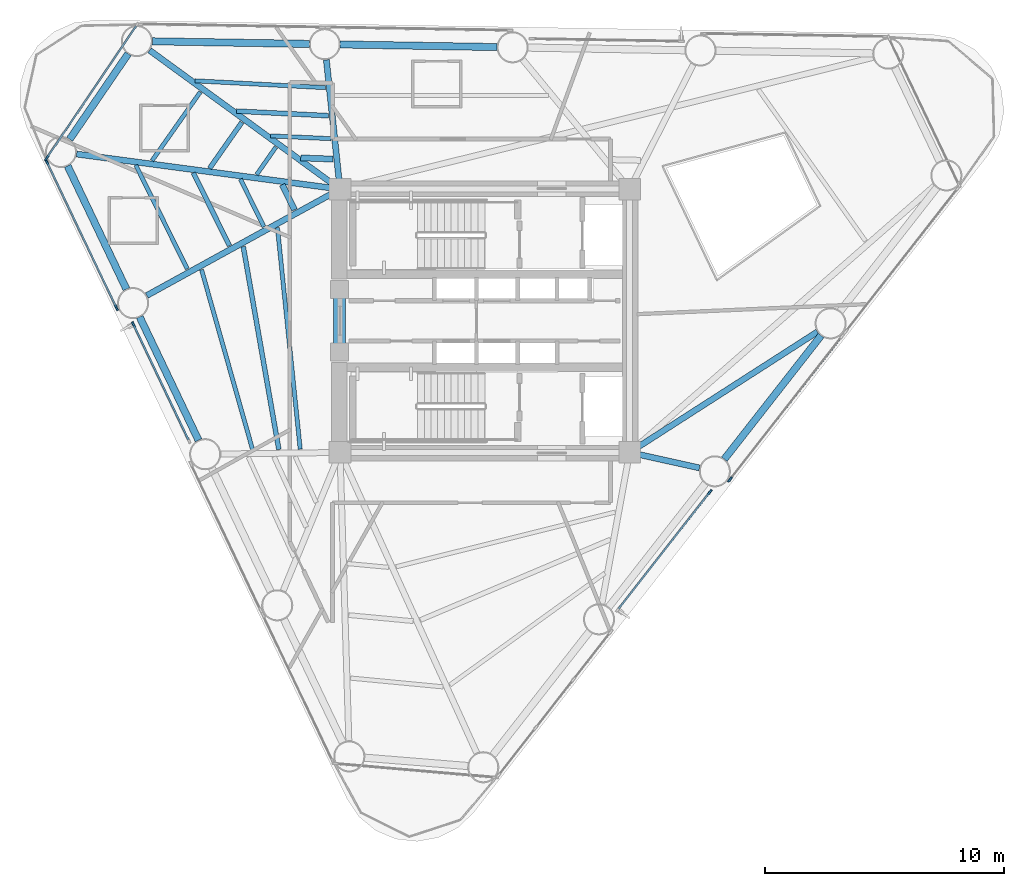
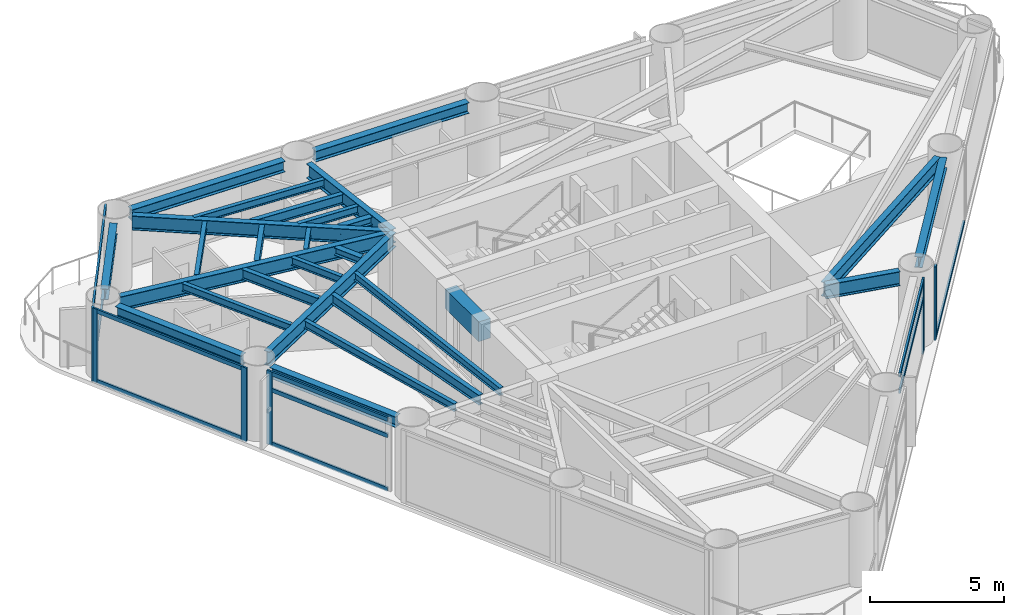
# One storey, part 3 of 10: 27 beams, 16 members, 5 elements without a shape of their own.
"""IFC4 building model written with IfcOpenShell, lengths in metres."""

from ifc_helpers import new_model, si_unit, direction, frame, origin, origin_2d, place, context, subcontext, project, spatial, rectangle, i_section, extrude, source, transform, mapped, material, layer, layer_set, material_profile, profile_set, type_object, element, aggregate, save


model = new_model("IFC4")

# Units and contexts
model_context = context("Model", 3, precision=1e-05, world=origin(), true_north=direction((0.0, 1.0)))
body_context = subcontext(model_context, "Body", "Model", "MODEL_VIEW")
ifc_project = project(units=[si_unit("LENGTHUNIT", "METRE"), si_unit("AREAUNIT", "SQUARE_METRE"), si_unit("VOLUMEUNIT", "CUBIC_METRE"), si_unit("PLANEANGLEUNIT", "RADIAN"), si_unit("MASSUNIT", "GRAM", prefix="KILO")], contexts=[model_context])

# Site, building, storey
site_placement = place(None, origin())
site = spatial("IfcSite", under=ifc_project, at=site_placement, CompositionType="ELEMENT")
building_placement = place(site_placement, origin())
building = spatial("IfcBuilding", under=site, at=building_placement, Name="Yunling Apex Tower", CompositionType="ELEMENT")
storey_placement = place(building_placement, frame((0.0, 0.0, 143.300048828125)))
storey = spatial("IfcBuildingStorey", under=building, at=storey_placement, Name="L35", CompositionType="ELEMENT", Elevation=143.300048828125)

# Beams
ifc_material_1 = material(Name="Concrete C50", Category="concrete")
ifc_material_profile_1 = material_profile(ifc_material_1, rectangle(XDim=0.5, YDim=0.89990234375, at=origin_2d()))
ifc_profile_set_1 = profile_set([ifc_material_profile_1], Name="Concrete C50")
beam_type_1 = type_object("IfcBeamType", Name="BC-CPL-2", PredefinedType="BEAM", material=ifc_profile_set_1)
shared_shape_1 = source(origin(), body_context, "Body", "SweptSolid", [
    extrude(rectangle(XDim=0.5, YDim=0.89990234375, at=origin_2d()), origin(), (0.0, 0.0, 1.0), 2.5),
])
beam_1_placement = place(storey_placement, frame((-6.074951171875, -1.25, 2.820068359375), z_axis=(0.0, 1.0, 0.0), x_axis=(-1.0, 0.0, 0.0)))
element("IfcBeam", 1, at=beam_1_placement, inside=storey, type_object=beam_type_1, Name="L35 Core West Portal Coupling Beam", PredefinedType="BEAM", context=body_context, shape_type="MappedRepresentation", body=[
    mapped(shared_shape_1, transform((0.0, 0.0, 0.0), scale=1.0)),
])
ifc_material_2 = material(Name="Steel Q355B", Category="steel")
ifc_material_profile_2 = material_profile(ifc_material_2, i_section(OverallWidth=0.300048828125, OverallDepth=0.489990234375, WebThickness=0.010986328125, FlangeThickness=0.01806640625, FilletRadius=0.02197265625, at=origin_2d()))
ifc_profile_set_2 = profile_set([ifc_material_profile_2], Name="Steel Q355B")
beam_type_2 = type_object("IfcBeamType", Name="BP-SPN-2", PredefinedType="SPANDREL", material=ifc_profile_set_2)
shared_shape_2 = source(origin(), body_context, "Body", "SweptSolid", [
    extrude(i_section(OverallWidth=0.300048828125, OverallDepth=0.489990234375, WebThickness=0.010986328125, FlangeThickness=0.01806640625, FilletRadius=0.02197265625, at=origin_2d()), origin(), (0.0, 0.0, 1.0), 6.562255859375),
])
beam_2_placement = place(storey_placement, frame((0.5166015625, 11.4375, 3.02490234375), z_axis=(-0.999859222118, 0.0167790329, 0.0), x_axis=(-0.0167790329, -0.999859222118, 0.0)))
element("IfcBeam", 2, at=beam_2_placement, inside=storey, type_object=beam_type_2, Name="L35 Perimeter Spandrel Beam 8", PredefinedType="SPANDREL", context=body_context, shape_type="MappedRepresentation", body=[
    mapped(shared_shape_2, transform((0.0, 0.0, 0.0), scale=1.0)),
])
shared_shape_3 = source(origin(), body_context, "Body", "SweptSolid", [
    extrude(i_section(OverallWidth=0.300048828125, OverallDepth=0.489990234375, WebThickness=0.010986328125, FlangeThickness=0.01806640625, FilletRadius=0.02197265625, at=origin_2d()), origin(), (0.0, 0.0, 1.0), 6.56201171875),
])
for number, where, z_axis, x_axis, name in (
    (3, (10.00732421875, -5.781982421875, 3.02490234375), (0.616233019323, 0.787563880518, 0.0), (-0.787563880518, 0.616233019323, 0.0), "L35 Perimeter Spandrel Beam 3"),
    (4, (-7.33251953125, 11.569091796875, 3.02490234375), (-0.999859211643, 0.016779657083, 0.0), (-0.016779657083, -0.999859211643, 0.0), "L35 Perimeter Spandrel Beam 9"),
):
    element("IfcBeam", number, at=place(storey_placement, frame(where, z_axis=z_axis, x_axis=x_axis)), inside=storey, type_object=beam_type_2, Name=name, PredefinedType="SPANDREL", context=body_context, shape_type="MappedRepresentation", body=[
        mapped(shared_shape_3, transform((0.0, 0.0, 0.0), scale=1.0)),
    ])
shared_shape_4 = source(origin(), body_context, "Body", "SweptSolid", [
    extrude(i_section(OverallWidth=0.300048828125, OverallDepth=0.489990234375, WebThickness=0.010986328125, FlangeThickness=0.01806640625, FilletRadius=0.02197265625, at=origin_2d()), origin(), (0.0, 0.0, 1.0), 4.328125),
])
beam_3_placement = place(storey_placement, frame((-14.901123046875, 11.158447265625, 3.02490234375), z_axis=(-0.564631339119, -0.825343232167, 0.0), x_axis=(0.825343232167, -0.564631339119, 0.0)))
element("IfcBeam", 5, at=beam_3_placement, inside=storey, type_object=beam_type_2, Name="L35 Perimeter Spandrel Beam 10", PredefinedType="SPANDREL", context=body_context, shape_type="MappedRepresentation", body=[
    mapped(shared_shape_4, transform((0.0, 0.0, 0.0), scale=1.0)),
])
shared_shape_5 = source(origin(), body_context, "Body", "SweptSolid", [
    extrude(i_section(OverallWidth=0.300048828125, OverallDepth=0.489990234375, WebThickness=0.010986328125, FlangeThickness=0.01806640625, FilletRadius=0.02197265625, at=origin_2d()), origin(), (0.0, 0.0, 1.0), 5.70751953125),
])
for number, where, z_axis, x_axis, name in (
    (6, (-17.431396484375, 6.473388671875, 3.02490234375), (0.430539541488, -0.902571716383, 0.0), (0.902571716383, 0.430539541488, 0.0), "L35 Perimeter Spandrel Beam 11"),
    (7, (-14.419677734375, 0.1591796875, 3.02490234375), (0.430539541488, -0.902571716383, 0.0), (0.902571716383, 0.430539541488, 0.0), "L35 Perimeter Spandrel Beam 12"),
):
    element("IfcBeam", number, at=place(storey_placement, frame(where, z_axis=z_axis, x_axis=x_axis)), inside=storey, type_object=beam_type_2, Name=name, PredefinedType="SPANDREL", context=body_context, shape_type="MappedRepresentation", body=[
        mapped(shared_shape_5, transform((0.0, 0.0, 0.0), scale=1.0)),
    ])
ifc_material_profile_3 = material_profile(ifc_material_2, i_section(OverallWidth=0.25, OverallDepth=0.64990234375, WebThickness=0.011962890625, FlangeThickness=0.02001953125, FilletRadius=0.02392578125, at=origin_2d()))
ifc_profile_set_3 = profile_set([ifc_material_profile_3], Name="Steel Q355B")
beam_type_3 = type_object("IfcBeamType", Name="BG-PRI-4", PredefinedType="USERDEFINED", material=ifc_profile_set_3)
shared_shape_6 = source(origin(), body_context, "Body", "SweptSolid", [
    extrude(i_section(OverallWidth=0.25, OverallDepth=0.64990234375, WebThickness=0.011962890625, FlangeThickness=0.02001953125, FilletRadius=0.02392578125, at=origin_2d()), origin(), (0.0, 0.0, 1.0), 2.908935546875),
])
beam_4_placement = place(storey_placement, frame((8.96826171875, -6.14697265625, 2.945068359375), z_axis=(-0.976295546219, 0.216441692917, 0.0), x_axis=(-0.216441692917, -0.976295546219, 0.0)))
element("IfcBeam", 8, at=beam_4_placement, inside=storey, type_object=beam_type_3, Name="L35 Radial Primary Girder R03", ObjectType="GIRDER", PredefinedType="USERDEFINED", context=body_context, shape_type="MappedRepresentation", body=[
    mapped(shared_shape_6, transform((0.0, 0.0, 0.0), scale=1.0)),
])
shared_shape_7 = source(origin(), body_context, "Body", "SweptSolid", [
    extrude(i_section(OverallWidth=0.25, OverallDepth=0.64990234375, WebThickness=0.011962890625, FlangeThickness=0.02001953125, FilletRadius=0.02392578125, at=origin_2d()), origin(), (0.0, 0.0, 1.0), 9.24267578125),
])
beam_5_placement = place(storey_placement, frame((13.894287109375, -0.46240234375, 2.945068359375), z_axis=(-0.841433276896, -0.540361027954, 0.0), x_axis=(0.540361027954, -0.841433276896, 0.0)))
element("IfcBeam", 9, at=beam_5_placement, inside=storey, type_object=beam_type_3, Name="L35 Radial Primary Girder R04", ObjectType="GIRDER", PredefinedType="USERDEFINED", context=body_context, shape_type="MappedRepresentation", body=[
    mapped(shared_shape_7, transform((0.0, 0.0, 0.0), scale=1.0)),
])
shared_shape_8 = source(origin(), body_context, "Body", "SweptSolid", [
    extrude(i_section(OverallWidth=0.25, OverallDepth=0.64990234375, WebThickness=0.011962890625, FlangeThickness=0.02001953125, FilletRadius=0.02392578125, at=origin_2d()), origin(), (0.0, 0.0, 1.0), 5.35400390625),
])
beam_6_placement = place(storey_placement, frame((-6.619384765625, 10.904052734375, 2.945068359375), z_axis=(0.104789227106, -0.99449445342, 0.0), x_axis=(0.99449445342, 0.104789227106, 0.0)))
element("IfcBeam", 10, at=beam_6_placement, inside=storey, type_object=beam_type_3, Name="L35 Radial Primary Girder R09", ObjectType="GIRDER", PredefinedType="USERDEFINED", context=body_context, shape_type="MappedRepresentation", body=[
    mapped(shared_shape_8, transform((0.0, 0.0, 0.0), scale=1.0)),
])
shared_shape_9 = source(origin(), body_context, "Body", "SweptSolid", [
    extrude(i_section(OverallWidth=0.25, OverallDepth=0.64990234375, WebThickness=0.011962890625, FlangeThickness=0.02001953125, FilletRadius=0.02392578125, at=origin_2d()), origin(), (0.0, 0.0, 1.0), 9.76708984375),
])
beam_7_placement = place(storey_placement, frame((-14.005859375, 11.30224609375, 2.945068359375), z_axis=(0.807958193343, -0.589239813497, 0.0), x_axis=(0.589239813497, 0.807958193343, 0.0)))
element("IfcBeam", 11, at=beam_7_placement, inside=storey, type_object=beam_type_3, Name="L35 Radial Primary Girder R10", ObjectType="GIRDER", PredefinedType="USERDEFINED", context=body_context, shape_type="MappedRepresentation", body=[
    mapped(shared_shape_9, transform((0.0, 0.0, 0.0), scale=1.0)),
])
shared_shape_10 = source(origin(), body_context, "Body", "SweptSolid", [
    extrude(i_section(OverallWidth=0.25, OverallDepth=0.64990234375, WebThickness=0.011962890625, FlangeThickness=0.02001953125, FilletRadius=0.02392578125, at=origin_2d()), origin(), (0.0, 0.0, 1.0), 11.023681640625),
])
beam_8_placement = place(storey_placement, frame((-17.056396484375, 6.9677734375, 2.945068359375), z_axis=(0.991223838358, -0.132194183952, 0.0), x_axis=(0.132194183952, 0.991223838358, 0.0)))
element("IfcBeam", 12, at=beam_8_placement, inside=storey, type_object=beam_type_3, Name="L35 Radial Primary Girder R11", ObjectType="GIRDER", PredefinedType="USERDEFINED", context=body_context, shape_type="MappedRepresentation", body=[
    mapped(shared_shape_10, transform((0.0, 0.0, 0.0), scale=1.0)),
])
shared_shape_11 = source(origin(), body_context, "Body", "SweptSolid", [
    extrude(i_section(OverallWidth=0.25, OverallDepth=0.64990234375, WebThickness=0.011962890625, FlangeThickness=0.02001953125, FilletRadius=0.02392578125, at=origin_2d()), origin(), (0.0, 0.0, 1.0), 9.132080078125),
])
beam_9_placement = place(storey_placement, frame((-14.120361328125, 1.057861328125, 2.945068359375), z_axis=(0.876057251214, 0.482207105501, 0.0), x_axis=(-0.482207105501, 0.876057251214, 0.0)))
element("IfcBeam", 13, at=beam_9_placement, inside=storey, type_object=beam_type_3, Name="L35 Radial Primary Girder R12", ObjectType="GIRDER", PredefinedType="USERDEFINED", context=body_context, shape_type="MappedRepresentation", body=[
    mapped(shared_shape_11, transform((0.0, 0.0, 0.0), scale=1.0)),
])
ifc_material_profile_4 = material_profile(ifc_material_2, i_section(OverallWidth=0.199951171875, OverallDepth=0.449951171875, WebThickness=0.009033203125, FlangeThickness=0.013916015625, FilletRadius=0.01806640625, at=origin_2d()))
ifc_profile_set_4 = profile_set([ifc_material_profile_4], Name="Steel Q355B")
beam_type_4 = type_object("IfcBeamType", Name="BS-SEC-3", PredefinedType="BEAM", material=ifc_profile_set_4)
shared_shape_12 = source(origin(), body_context, "Body", "SweptSolid", [
    extrude(i_section(OverallWidth=0.199951171875, OverallDepth=0.449951171875, WebThickness=0.009033203125, FlangeThickness=0.013916015625, FilletRadius=0.01806640625, at=origin_2d()), origin(), (0.0, 0.0, 1.0), 3.84619140625),
])
beam_10_placement = place(storey_placement, frame((-6.532470703125, 8.5693359375, 3.044921875), z_axis=(-0.998745046624, 0.050083249128, 0.0), x_axis=(-0.050083249128, -0.998745046624, 0.0)))
element("IfcBeam", 14, at=beam_10_placement, inside=storey, type_object=beam_type_4, Name="L35 Composite Floor Beam BS-9", PredefinedType="BEAM", context=body_context, shape_type="MappedRepresentation", body=[
    mapped(shared_shape_12, transform((0.0, 0.0, 0.0), scale=1.0)),
])
ifc_material_profile_5 = material_profile(ifc_material_2, i_section(OverallWidth=0.175048828125, OverallDepth=0.35009765625, WebThickness=0.007080078125, FlangeThickness=0.010986328125, FilletRadius=0.013916015625, at=origin_2d()))
ifc_profile_set_5 = profile_set([ifc_material_profile_5], Name="Steel Q355B")
beam_type_5 = type_object("IfcBeamType", Name="BJ-JST-1", PredefinedType="JOIST", material=ifc_profile_set_5)
shared_shape_13 = source(origin(), body_context, "Body", "SweptSolid", [
    extrude(i_section(OverallWidth=0.175048828125, OverallDepth=0.35009765625, WebThickness=0.007080078125, FlangeThickness=0.010986328125, FilletRadius=0.013916015625, at=origin_2d()), origin(), (0.0, 0.0, 1.0), 5.4619140625),
])
beam_11_placement = place(storey_placement, frame((-6.65576171875, 9.740966796875, 3.094970703125), z_axis=(-0.998619804272, 0.052521295825, 0.0), x_axis=(-0.052521295825, -0.998619804272, 0.0)))
element("IfcBeam", 15, at=beam_11_placement, inside=storey, type_object=beam_type_5, Name="L35 Composite Floor Joist BJ1-9", PredefinedType="JOIST", context=body_context, shape_type="MappedRepresentation", body=[
    mapped(shared_shape_13, transform((0.0, 0.0, 0.0), scale=1.0)),
])
shared_shape_14 = source(origin(), body_context, "Body", "SweptSolid", [
    extrude(i_section(OverallWidth=0.175048828125, OverallDepth=0.35009765625, WebThickness=0.007080078125, FlangeThickness=0.010986328125, FilletRadius=0.013916015625, at=origin_2d()), origin(), (0.0, 0.0, 1.0), 2.52490234375),
])
beam_12_placement = place(storey_placement, frame((-6.431396484375, 7.6103515625, 3.094970703125), z_axis=(-0.998935787548, 0.046122579679, 0.0), x_axis=(-0.046122579679, -0.998935787548, 0.0)))
element("IfcBeam", 16, at=beam_12_placement, inside=storey, type_object=beam_type_5, Name="L35 Composite Floor Joist BJ3-9", PredefinedType="JOIST", context=body_context, shape_type="MappedRepresentation", body=[
    mapped(shared_shape_14, transform((0.0, 0.0, 0.0), scale=1.0)),
])
ifc_material_profile_6 = material_profile(ifc_material_2, i_section(OverallWidth=0.25, OverallDepth=0.340087890625, WebThickness=0.009033203125, FlangeThickness=0.013916015625, FilletRadius=0.01806640625, at=origin_2d()))
ifc_profile_set_6 = profile_set([ifc_material_profile_6], Name="Steel Q355B")
beam_type_6 = type_object("IfcBeamType", Name="BJ-JST-2", PredefinedType="JOIST", material=ifc_profile_set_6)
shared_shape_15 = source(origin(), body_context, "Body", "SweptSolid", [
    extrude(i_section(OverallWidth=0.25, OverallDepth=0.340087890625, WebThickness=0.009033203125, FlangeThickness=0.013916015625, FilletRadius=0.01806640625, at=origin_2d()), origin(), (0.0, 0.0, 1.0), 1.35009765625),
])
beam_13_placement = place(storey_placement, frame((-6.341796875, 6.7568359375, 3.099853515625), z_axis=(-0.999299138543, 0.03743302962, 0.0), x_axis=(-0.03743302962, -0.999299138543, 0.0)))
element("IfcBeam", 17, at=beam_13_placement, inside=storey, type_object=beam_type_6, Name="L35 Composite Floor Joist BJ2-9", PredefinedType="JOIST", context=body_context, shape_type="MappedRepresentation", body=[
    mapped(shared_shape_15, transform((0.0, 0.0, 0.0), scale=1.0)),
])
shared_shape_16 = source(origin(), body_context, "Body", "SweptSolid", [
    extrude(i_section(OverallWidth=0.199951171875, OverallDepth=0.449951171875, WebThickness=0.009033203125, FlangeThickness=0.013916015625, FilletRadius=0.01806640625, at=origin_2d()), origin(), (0.0, 0.0, 1.0), 2.349365234375),
])
beam_14_placement = place(storey_placement, frame((-10.152099609375, 8.293701171875, 3.044921875), z_axis=(-0.574138652216, -0.818758088834, 0.0), x_axis=(0.818758088834, -0.574138652216, 0.0)))
element("IfcBeam", 18, at=beam_14_placement, inside=storey, type_object=beam_type_4, Name="L35 Composite Floor Beam BS-10", PredefinedType="BEAM", context=body_context, shape_type="MappedRepresentation", body=[
    mapped(shared_shape_16, transform((0.0, 0.0, 0.0), scale=1.0)),
])
shared_shape_17 = source(origin(), body_context, "Body", "SweptSolid", [
    extrude(i_section(OverallWidth=0.175048828125, OverallDepth=0.35009765625, WebThickness=0.007080078125, FlangeThickness=0.010986328125, FilletRadius=0.013916015625, at=origin_2d()), origin(), (0.0, 0.0, 1.0), 3.5068359375),
])
beam_15_placement = place(storey_placement, frame((-11.88818359375, 9.559814453125, 3.094970703125), z_axis=(-0.575031163817, -0.818131505712, 0.0), x_axis=(0.818131505712, -0.575031163817, 0.0)))
element("IfcBeam", 19, at=beam_15_placement, inside=storey, type_object=beam_type_5, Name="L35 Composite Floor Joist BJ1-10", PredefinedType="JOIST", context=body_context, shape_type="MappedRepresentation", body=[
    mapped(shared_shape_17, transform((0.0, 0.0, 0.0), scale=1.0)),
])
shared_shape_18 = source(origin(), body_context, "Body", "SweptSolid", [
    extrude(i_section(OverallWidth=0.175048828125, OverallDepth=0.35009765625, WebThickness=0.007080078125, FlangeThickness=0.010986328125, FilletRadius=0.013916015625, at=origin_2d()), origin(), (0.0, 0.0, 1.0), 1.40185546875),
])
beam_16_placement = place(storey_placement, frame((-8.7314453125, 7.257568359375, 3.094970703125), z_axis=(-0.572573774169, -0.819853202186, 0.0), x_axis=(0.819853202186, -0.572573774169, 0.0)))
element("IfcBeam", 20, at=beam_16_placement, inside=storey, type_object=beam_type_5, Name="L35 Composite Floor Joist BJ3-10", PredefinedType="JOIST", context=body_context, shape_type="MappedRepresentation", body=[
    mapped(shared_shape_18, transform((0.0, 0.0, 0.0), scale=1.0)),
])
shared_shape_19 = source(origin(), body_context, "Body", "SweptSolid", [
    extrude(i_section(OverallWidth=0.199951171875, OverallDepth=0.449951171875, WebThickness=0.009033203125, FlangeThickness=0.013916015625, FilletRadius=0.01806640625, at=origin_2d()), origin(), (0.0, 0.0, 1.0), 3.396484375),
])
beam_17_placement = place(storey_placement, frame((-12.177490234375, 6.18310546875, 3.044921875), z_axis=(0.443500732864, -0.896274009413, 0.0), x_axis=(0.896274009413, 0.443500732864, 0.0)))
element("IfcBeam", 21, at=beam_17_placement, inside=storey, type_object=beam_type_4, Name="L35 Composite Floor Beam BS-11", PredefinedType="BEAM", context=body_context, shape_type="MappedRepresentation", body=[
    mapped(shared_shape_19, transform((0.0, 0.0, 0.0), scale=1.0)),
])
shared_shape_20 = source(origin(), body_context, "Body", "SweptSolid", [
    extrude(i_section(OverallWidth=0.175048828125, OverallDepth=0.35009765625, WebThickness=0.007080078125, FlangeThickness=0.010986328125, FilletRadius=0.013916015625, at=origin_2d()), origin(), (0.0, 0.0, 1.0), 4.837890625),
])
beam_18_placement = place(storey_placement, frame((-14.581298828125, 6.50390625, 3.094970703125), z_axis=(0.444385383115, -0.895835716677, 0.0), x_axis=(0.895835716677, 0.444385383115, 0.0)))
element("IfcBeam", 22, at=beam_18_placement, inside=storey, type_object=beam_type_5, Name="L35 Composite Floor Joist BJ1-11", PredefinedType="JOIST", context=body_context, shape_type="MappedRepresentation", body=[
    mapped(shared_shape_20, transform((0.0, 0.0, 0.0), scale=1.0)),
])
shared_shape_21 = source(origin(), body_context, "Body", "SweptSolid", [
    extrude(i_section(OverallWidth=0.175048828125, OverallDepth=0.35009765625, WebThickness=0.007080078125, FlangeThickness=0.010986328125, FilletRadius=0.013916015625, at=origin_2d()), origin(), (0.0, 0.0, 1.0), 2.217529296875),
])
beam_19_placement = place(storey_placement, frame((-10.2109375, 5.9208984375, 3.094970703125), z_axis=(0.441921230905, -0.897053858848, 0.0), x_axis=(0.897053858848, 0.441921230905, 0.0)))
element("IfcBeam", 23, at=beam_19_placement, inside=storey, type_object=beam_type_5, Name="L35 Composite Floor Joist BJ3-11", PredefinedType="JOIST", context=body_context, shape_type="MappedRepresentation", body=[
    mapped(shared_shape_21, transform((0.0, 0.0, 0.0), scale=1.0)),
])
shared_shape_22 = source(origin(), body_context, "Body", "SweptSolid", [
    extrude(i_section(OverallWidth=0.25, OverallDepth=0.340087890625, WebThickness=0.009033203125, FlangeThickness=0.013916015625, FilletRadius=0.01806640625, at=origin_2d()), origin(), (0.0, 0.0, 1.0), 1.16943359375),
])
beam_20_placement = place(storey_placement, frame((-8.463134765625, 5.6875, 3.099853515625), z_axis=(0.438592252634, -0.898686172103, 0.0), x_axis=(0.898686172103, 0.438592252634, 0.0)))
element("IfcBeam", 24, at=beam_20_placement, inside=storey, type_object=beam_type_6, Name="L35 Composite Floor Joist BJ2-11", PredefinedType="JOIST", context=body_context, shape_type="MappedRepresentation", body=[
    mapped(shared_shape_22, transform((0.0, 0.0, 0.0), scale=1.0)),
])
shared_shape_23 = source(origin(), body_context, "Body", "SweptSolid", [
    extrude(i_section(OverallWidth=0.199951171875, OverallDepth=0.449951171875, WebThickness=0.009033203125, FlangeThickness=0.013916015625, FilletRadius=0.01806640625, at=origin_2d()), origin(), (0.0, 0.0, 1.0), 8.60693359375),
])
beam_21_placement = place(storey_placement, frame((-10.092529296875, 3.10205078125, 3.044921875), z_axis=(0.172691332669, -0.984975991393, 0.0), x_axis=(0.984975991393, 0.172691332669, 0.0)))
element("IfcBeam", 25, at=beam_21_placement, inside=storey, type_object=beam_type_4, Name="L35 Composite Floor Beam BS-12", PredefinedType="BEAM", context=body_context, shape_type="MappedRepresentation", body=[
    mapped(shared_shape_23, transform((0.0, 0.0, 0.0), scale=1.0)),
])
shared_shape_24 = source(origin(), body_context, "Body", "SweptSolid", [
    extrude(i_section(OverallWidth=0.175048828125, OverallDepth=0.35009765625, WebThickness=0.007080078125, FlangeThickness=0.010986328125, FilletRadius=0.013916015625, at=origin_2d()), origin(), (0.0, 0.0, 1.0), 7.82763671875),
])
beam_22_placement = place(storey_placement, frame((-11.836669921875, 2.136962890625, 3.094970703125), z_axis=(0.273002905438, -0.962013208653, 0.0), x_axis=(0.962013208653, 0.273002905438, 0.0)))
element("IfcBeam", 26, at=beam_22_placement, inside=storey, type_object=beam_type_5, Name="L35 Composite Floor Joist BJ1-12", PredefinedType="JOIST", context=body_context, shape_type="MappedRepresentation", body=[
    mapped(shared_shape_24, transform((0.0, 0.0, 0.0), scale=1.0)),
])
shared_shape_25 = source(origin(), body_context, "Body", "SweptSolid", [
    extrude(i_section(OverallWidth=0.175048828125, OverallDepth=0.35009765625, WebThickness=0.007080078125, FlangeThickness=0.010986328125, FilletRadius=0.013916015625, at=origin_2d()), origin(), (0.0, 0.0, 1.0), 9.303955078125),
])
beam_23_placement = place(storey_placement, frame((-8.663818359375, 3.89306640625, 3.094970703125), z_axis=(0.102153373674, -0.994768660668, 0.0), x_axis=(0.994768660668, 0.102153373674, 0.0)))
element("IfcBeam", 27, at=beam_23_placement, inside=storey, type_object=beam_type_5, Name="L35 Composite Floor Joist BJ3-12", PredefinedType="JOIST", context=body_context, shape_type="MappedRepresentation", body=[
    mapped(shared_shape_25, transform((0.0, 0.0, 0.0), scale=1.0)),
])

# Curtain wall, member
ifc_material_3 = material(Name="Bronze anodised aluminium", Category="aluminium")
ifc_layer = layer(ifc_material_3, 0.239990234375)
ifc_layer_set = layer_set([ifc_layer], Name="Bronze anodised aluminium")
curtain_wall_type = type_object("IfcCurtainWallType", Name="CW-SYS-3", PredefinedType="NOTDEFINED", material=ifc_layer_set)
curtain_wall_1_placement = place(storey_placement, origin())
curtain_wall_1 = element("IfcCurtainWall", 28, at=curtain_wall_1_placement, inside=storey, type_object=curtain_wall_type, Name="CW-L35-F1-B2", PredefinedType="NOTDEFINED")
ifc_material_profile_7 = material_profile(ifc_material_3, rectangle(XDim=0.080078125, YDim=0.239990234375, at=origin_2d()))
ifc_profile_set_7 = profile_set([ifc_material_profile_7], Name="Bronze anodised aluminium")
member_type_1 = type_object("IfcMemberType", Name="CW-MUL-3", PredefinedType="MULLION", material=ifc_profile_set_7)
shared_shape_26 = source(origin(), body_context, "Body", "SweptSolid", [
    extrude(rectangle(XDim=0.080078125, YDim=0.239990234375, at=origin_2d()), origin(), (0.0, 0.0, 1.0), 3.3701171875),
])
member_1_placement = place(storey_placement, frame((9.40283203125, -7.1552734375, -0.050048828125), z_axis=(0.0, 0.0, 1.0), x_axis=(-0.787590269126, 0.616199292419, 0.0)))
member_1 = element("IfcMember", 29, at=member_1_placement, type_object=member_type_1, Name="CW-SYS-3 mullion 2", PredefinedType="MULLION", context=body_context, shape_type="MappedRepresentation", body=[
    mapped(shared_shape_26, transform((0.0, 0.0, 0.0), scale=1.0)),
])

curtain_wall_2_placement = place(storey_placement, origin())
curtain_wall_2 = element("IfcCurtainWall", 30, at=curtain_wall_2_placement, inside=storey, type_object=curtain_wall_type, Name="CW-L35-F1-B3", PredefinedType="NOTDEFINED")
member_2_placement = place(storey_placement, frame((10.24365234375, -6.632080078125, -0.050048828125), z_axis=(0.0, 0.0, 1.0), x_axis=(-0.787583748686, 0.616207626377, 0.0)))
member_2 = element("IfcMember", 31, at=member_2_placement, type_object=member_type_1, Name="CW-SYS-3 mullion 1", PredefinedType="MULLION", context=body_context, shape_type="MappedRepresentation", body=[
    mapped(shared_shape_26, transform((0.0, 0.0, 0.0), scale=1.0)),
])

curtain_wall_3_placement = place(storey_placement, origin())
curtain_wall_3 = element("IfcCurtainWall", 32, at=curtain_wall_3_placement, inside=storey, type_object=curtain_wall_type, Name="CW-L35-CRN2", PredefinedType="NOTDEFINED")
member_3_placement = place(storey_placement, frame((-18.308837890625, 6.791015625, -0.050048828125), z_axis=(0.0, 0.0, 1.0), x_axis=(0.82813882115, -0.560523052964, 0.0)))
member_3 = element("IfcMember", 33, at=member_3_placement, type_object=member_type_1, Name="CW-SYS-3 mullion 2", PredefinedType="MULLION", context=body_context, shape_type="MappedRepresentation", body=[
    mapped(shared_shape_26, transform((0.0, 0.0, 0.0), scale=1.0)),
])

# Curtain wall, members
curtain_wall_4_placement = place(storey_placement, origin())
curtain_wall_4 = element("IfcCurtainWall", 34, at=curtain_wall_4_placement, inside=storey, type_object=curtain_wall_type, Name="CW-L35-F3-B1", PredefinedType="NOTDEFINED")
member_4_placement = place(storey_placement, frame((-18.297607421875, 6.640869140625, -0.050048828125), z_axis=(0.0, 0.0, 1.0), x_axis=(0.902587765133, 0.4305058957, 0.0)))
member_4 = element("IfcMember", 35, at=member_4_placement, type_object=member_type_1, Name="CW-SYS-3 mullion 1", PredefinedType="MULLION", context=body_context, shape_type="MappedRepresentation", body=[
    mapped(shared_shape_26, transform((0.0, 0.0, 0.0), scale=1.0)),
])
member_5_placement = place(storey_placement, frame((-15.389404296875, 0.543212890625, -0.050048828125), z_axis=(0.0, 0.0, 1.0), x_axis=(0.902587765133, 0.4305058957, 0.0)))
member_5 = element("IfcMember", 36, at=member_5_placement, type_object=member_type_1, Name="CW-SYS-3 mullion 2", PredefinedType="MULLION", context=body_context, shape_type="MappedRepresentation", body=[
    mapped(shared_shape_26, transform((0.0, 0.0, 0.0), scale=1.0)),
])

# Curtain wall, member
curtain_wall_5_placement = place(storey_placement, origin())
curtain_wall_5 = element("IfcCurtainWall", 37, at=curtain_wall_5_placement, inside=storey, type_object=curtain_wall_type, Name="CW-L35-F3-B2", PredefinedType="NOTDEFINED")
member_6_placement = place(storey_placement, frame((-14.68212890625, -0.14990234375, -0.050048828125), z_axis=(0.0, 0.0, 1.0), x_axis=(0.902579794247, 0.430522606859, 0.0)))
member_6 = element("IfcMember", 38, at=member_6_placement, type_object=member_type_1, Name="CW-SYS-3 mullion 1", PredefinedType="MULLION", context=body_context, shape_type="MappedRepresentation", body=[
    mapped(shared_shape_26, transform((0.0, 0.0, 0.0), scale=1.0)),
])

# Member
ifc_material_profile_8 = material_profile(ifc_material_3, rectangle(XDim=0.080078125, YDim=0.18505859375, at=origin_2d()))
ifc_profile_set_8 = profile_set([ifc_material_profile_8], Name="Bronze anodised aluminium")
member_type_2 = type_object("IfcMemberType", Name="CW-TRN-3", PredefinedType="USERDEFINED", material=ifc_profile_set_8)
shared_shape_27 = source(origin(), body_context, "Body", "SweptSolid", [
    extrude(rectangle(XDim=0.080078125, YDim=0.18505859375, at=origin_2d()), origin(), (0.0, 0.0, 1.0), 6.158203125),
])
member_7_placement = place(storey_placement, frame((5.5859375, -12.03369140625, 2.485107421875), z_axis=(0.616202427613, 0.787587816185, 0.0), x_axis=(-0.787587816185, 0.616202427613, 0.0)))
member_7 = element("IfcMember", 39, at=member_7_placement, type_object=member_type_2, Name="CW-SYS-3 transom 1.2", ObjectType="TRANSOM", PredefinedType="USERDEFINED", context=body_context, shape_type="MappedRepresentation", body=[
    mapped(shared_shape_27, transform((0.0, 0.0, 0.0), scale=1.0)),
])

member_8_placement = place(storey_placement, frame((5.5859375, -12.03369140625, 3.22998046875), z_axis=(0.616202427613, 0.787587816185, 0.0), x_axis=(-0.787587816185, 0.616202427613, 0.0)))
member_8 = element("IfcMember", 40, at=member_8_placement, type_object=member_type_2, Name="CW-SYS-3 transom 1.3", ObjectType="TRANSOM", PredefinedType="USERDEFINED", context=body_context, shape_type="MappedRepresentation", body=[
    mapped(shared_shape_27, transform((0.0, 0.0, 0.0), scale=1.0)),
])

aggregate(curtain_wall_1, [member_1, member_7, member_8])

shared_shape_28 = source(origin(), body_context, "Body", "SweptSolid", [
    extrude(rectangle(XDim=0.080078125, YDim=0.18505859375, at=origin_2d()), origin(), (0.0, 0.0, 1.0), 7.5380859375),
])
member_9_placement = place(storey_placement, frame((10.265869140625, -6.603759765625, 0.0400390625), z_axis=(0.616213940974, 0.787578808088, 0.0), x_axis=(-0.787578808088, 0.616213940974, 0.0)))
member_9 = element("IfcMember", 41, at=member_9_placement, type_object=member_type_2, Name="CW-SYS-3 transom 1.1", ObjectType="TRANSOM", PredefinedType="USERDEFINED", context=body_context, shape_type="MappedRepresentation", body=[
    mapped(shared_shape_28, transform((0.0, 0.0, 0.0), scale=1.0)),
])

aggregate(curtain_wall_2, [member_2, member_9])

shared_shape_29 = source(origin(), body_context, "Body", "SweptSolid", [
    extrude(rectangle(XDim=0.080078125, YDim=0.18505859375, at=origin_2d()), origin(), (0.0, 0.0, 1.0), 6.63671875),
])
member_10_placement = place(storey_placement, frame((-14.568603515625, 12.31689453125, 0.0400390625), z_axis=(-0.560543901892, -0.828124709239, 0.0), x_axis=(0.828124709239, -0.560543901892, 0.0)))
member_10 = element("IfcMember", 42, at=member_10_placement, type_object=member_type_2, Name="CW-SYS-3 transom 1.1", ObjectType="TRANSOM", PredefinedType="USERDEFINED", context=body_context, shape_type="MappedRepresentation", body=[
    mapped(shared_shape_29, transform((0.0, 0.0, 0.0), scale=1.0)),
])

member_11_placement = place(storey_placement, frame((-14.568603515625, 12.31689453125, 3.22998046875), z_axis=(-0.560543901892, -0.828124709239, 0.0), x_axis=(0.828124709239, -0.560543901892, 0.0)))
member_11 = element("IfcMember", 43, at=member_11_placement, type_object=member_type_2, Name="CW-SYS-3 transom 1.2", ObjectType="TRANSOM", PredefinedType="USERDEFINED", context=body_context, shape_type="MappedRepresentation", body=[
    mapped(shared_shape_29, transform((0.0, 0.0, 0.0), scale=1.0)),
])

aggregate(curtain_wall_3, [member_3, member_10, member_11])

shared_shape_30 = source(origin(), body_context, "Body", "SweptSolid", [
    extrude(rectangle(XDim=0.080078125, YDim=0.18505859375, at=origin_2d()), origin(), (0.0, 0.0, 1.0), 6.683837890625),
])
member_12_placement = place(storey_placement, frame((-18.2822265625, 6.6083984375, 0.0400390625), z_axis=(0.430509150299, -0.902586212785, 0.0), x_axis=(0.902586212785, 0.430509150299, 0.0)))
member_12 = element("IfcMember", 44, at=member_12_placement, type_object=member_type_2, Name="CW-SYS-3 transom 1.1", ObjectType="TRANSOM", PredefinedType="USERDEFINED", context=body_context, shape_type="MappedRepresentation", body=[
    mapped(shared_shape_30, transform((0.0, 0.0, 0.0), scale=1.0)),
])

member_13_placement = place(storey_placement, frame((-18.2822265625, 6.6083984375, 3.22998046875), z_axis=(0.430509150299, -0.902586212785, 0.0), x_axis=(0.902586212785, 0.430509150299, 0.0)))
member_13 = element("IfcMember", 45, at=member_13_placement, type_object=member_type_2, Name="CW-SYS-3 transom 1.2", ObjectType="TRANSOM", PredefinedType="USERDEFINED", context=body_context, shape_type="MappedRepresentation", body=[
    mapped(shared_shape_30, transform((0.0, 0.0, 0.0), scale=1.0)),
])

aggregate(curtain_wall_4, [member_4, member_5, member_12, member_13])

shared_shape_31 = source(origin(), body_context, "Body", "SweptSolid", [
    extrude(rectangle(XDim=0.080078125, YDim=0.18505859375, at=origin_2d()), origin(), (0.0, 0.0, 1.0), 5.303466796875),
])
member_14_placement = place(storey_placement, frame((-14.66650390625, -0.182373046875, 0.0400390625), z_axis=(0.43050887408, -0.902586344534, 0.0), x_axis=(0.902586344534, 0.43050887408, 0.0)))
member_14 = element("IfcMember", 46, at=member_14_placement, type_object=member_type_2, Name="CW-SYS-3 transom 1.1", ObjectType="TRANSOM", PredefinedType="USERDEFINED", context=body_context, shape_type="MappedRepresentation", body=[
    mapped(shared_shape_31, transform((0.0, 0.0, 0.0), scale=1.0)),
])

member_15_placement = place(storey_placement, frame((-14.66650390625, -0.182373046875, 2.485107421875), z_axis=(0.43050887408, -0.902586344534, 0.0), x_axis=(0.902586344534, 0.43050887408, 0.0)))
member_15 = element("IfcMember", 47, at=member_15_placement, type_object=member_type_2, Name="CW-SYS-3 transom 1.2", ObjectType="TRANSOM", PredefinedType="USERDEFINED", context=body_context, shape_type="MappedRepresentation", body=[
    mapped(shared_shape_31, transform((0.0, 0.0, 0.0), scale=1.0)),
])

member_16_placement = place(storey_placement, frame((-14.66650390625, -0.182373046875, 3.22998046875), z_axis=(0.43050887408, -0.902586344534, 0.0), x_axis=(0.902586344534, 0.43050887408, 0.0)))
member_16 = element("IfcMember", 48, at=member_16_placement, type_object=member_type_2, Name="CW-SYS-3 transom 1.3", ObjectType="TRANSOM", PredefinedType="USERDEFINED", context=body_context, shape_type="MappedRepresentation", body=[
    mapped(shared_shape_31, transform((0.0, 0.0, 0.0), scale=1.0)),
])

aggregate(curtain_wall_5, [member_6, member_14, member_15, member_16])

save(model, "model.ifc")
